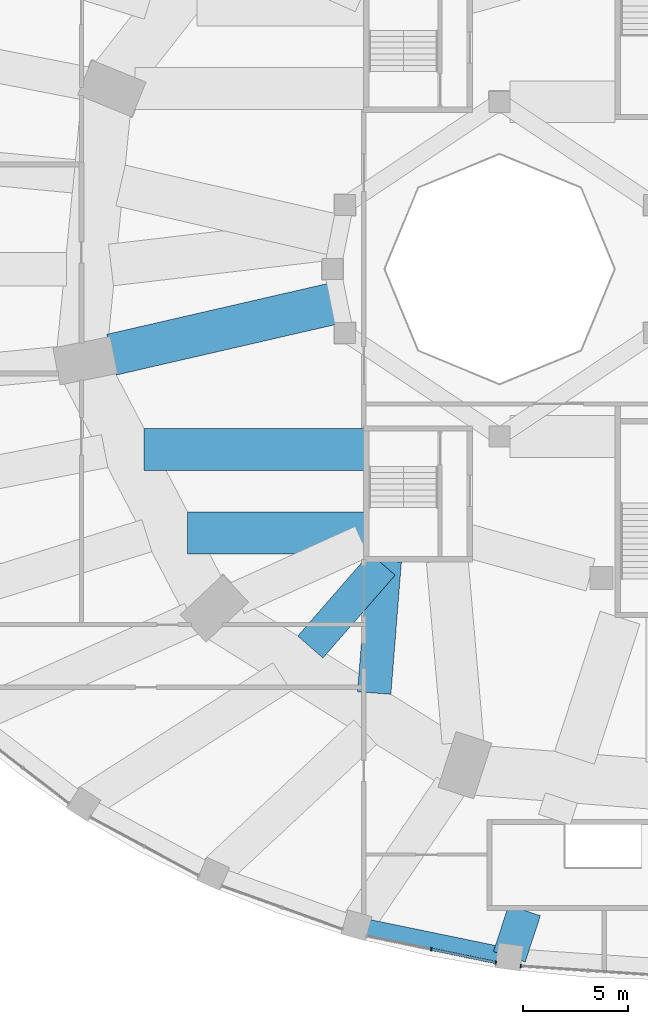
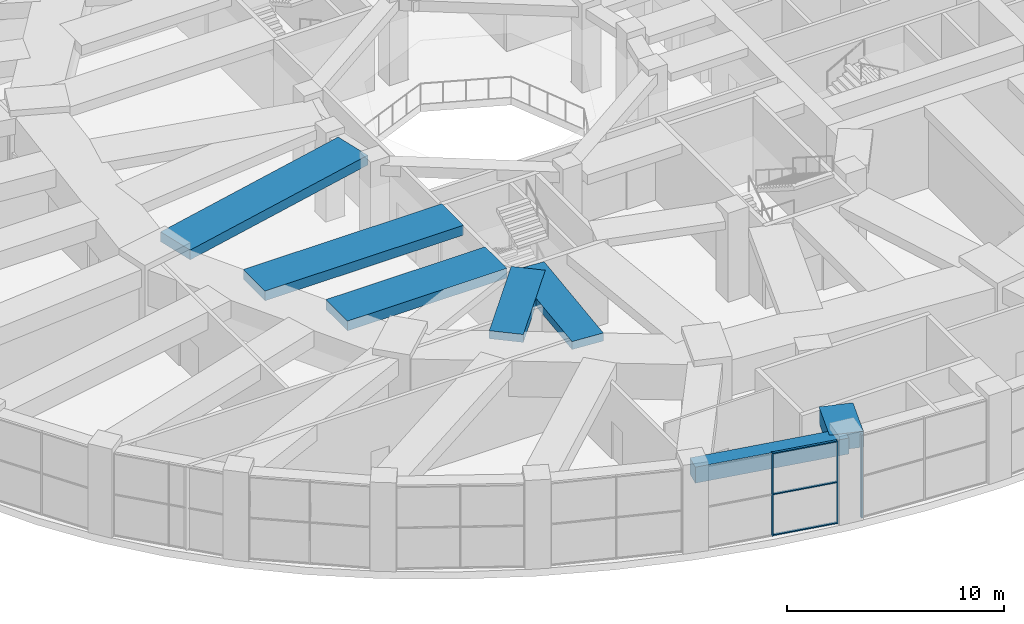
# One storey, part 4 of 30: 7 beams, 6 members, 2 elements without a shape of their own.
"""IFC4 building model written with IfcOpenShell, lengths in metres."""

from ifc_helpers import new_model, si_unit, direction, frame, origin, origin_2d, place, context, subcontext, project, spatial, rectangle, extrude, material, material_profile, profile_set, type_object, element, aggregate, save


model = new_model("IFC4")

# Units and contexts
model_context = context("Model", 3, precision=1e-05, world=origin(), true_north=direction((0.0, 1.0)))
body_context = subcontext(model_context, "Body", "Model", "MODEL_VIEW")
ifc_project = project(units=[si_unit("LENGTHUNIT", "METRE"), si_unit("AREAUNIT", "SQUARE_METRE"), si_unit("VOLUMEUNIT", "CUBIC_METRE"), si_unit("PLANEANGLEUNIT", "RADIAN"), si_unit("MASSUNIT", "GRAM", prefix="KILO")], contexts=[model_context])

# Site, building, storey
site_placement = place(None, origin())
site = spatial("IfcSite", under=ifc_project, at=site_placement, CompositionType="ELEMENT")
building_placement = place(site_placement, origin())
building = spatial("IfcBuilding", under=site, at=building_placement, Name="Taillehof Tower", CompositionType="ELEMENT")
storey_placement = place(building_placement, frame((0.0, 0.0, 12.5)))
storey = spatial("IfcBuildingStorey", under=building, at=storey_placement, Name="L02", CompositionType="ELEMENT", Elevation=12.5)

# Beams
ifc_material_1 = material(Name="Concrete C50/60", Category="concrete")
ifc_material_profile_1 = material_profile(ifc_material_1, rectangle(XDim=0.800048828125, YDim=0.89990234375, at=origin_2d()), Name="RC 800x900")
ifc_profile_set_1 = profile_set([ifc_material_profile_1], Name="Concrete C50/60")
beam_type_1 = type_object("IfcBeamType", Name="Podium edge beam C50/60 800x900", PredefinedType="BEAM", material=ifc_profile_set_1)
beam_1_placement = place(storey_placement, frame((-14.84375, -31.3857421875, 4.199951171875), z_axis=(0.979394077534, -0.201958512797, 0.0), x_axis=(0.201958512797, 0.979394077534, 0.0)))
element("IfcBeam", 1, at=beam_1_placement, inside=storey, type_object=beam_type_1, Name="Podium edge beam PB26", PredefinedType="BEAM", context=body_context, shape_type="SweptSolid", body=[
    extrude(rectangle(XDim=0.800048828125, YDim=0.89990234375, at=origin_2d()), origin(), (0.0, 0.0, 1.0), 7.461181640625),
])
ifc_material_2 = material(Name="Concrete C50/60", Category="concrete")
ifc_material_profile_2 = material_profile(ifc_material_2, rectangle(XDim=1.60009765625, YDim=0.89990234375, at=origin_2d()), Name="RC 1600x900")
ifc_profile_set_2 = profile_set([ifc_material_profile_2], Name="Concrete C50/60")
beam_type_2 = type_object("IfcBeamType", Name="Podium radial beam C50/60 1600x900", PredefinedType="BEAM", material=ifc_profile_set_2)
beam_2_placement = place(storey_placement, frame((-7.536376953125, -32.892578125, 4.199951171875), z_axis=(0.311453105326, 0.950261523573, 0.0), x_axis=(-0.950261523573, 0.311453105326, 0.0)))
element("IfcBeam", 2, at=beam_2_placement, inside=storey, type_object=beam_type_2, Name="Podium radial beam PR27", PredefinedType="BEAM", context=body_context, shape_type="SweptSolid", body=[
    extrude(rectangle(XDim=1.60009765625, YDim=0.89990234375, at=origin_2d()), origin(), (0.0, 0.0, 1.0), 2.33349609375),
])

# Curtain wall, members
ifc_material_3 = material(Name="Aluminium curtain wall with Clear low-emissivity double glazing", Category="aluminium")
curtain_wall_type = type_object("IfcCurtainWallType", Name="Podium window wall curtain wall", PredefinedType="USERDEFINED", material=ifc_material_3)
curtain_wall_1_placement = place(storey_placement, origin())
curtain_wall_1 = element("IfcCurtainWall", 3, at=curtain_wall_1_placement, inside=storey, type_object=curtain_wall_type, Name="Podium window wall L02 bay 26", ObjectType="WINDOW WALL", PredefinedType="USERDEFINED")
ifc_material_4 = material(Name="Aluminium mullion", Category="aluminium")
ifc_material_profile_3 = material_profile(ifc_material_4, rectangle(XDim=0.159912109375, YDim=0.06005859375, at=origin_2d()), Name="AL 60x160")
ifc_profile_set_3 = profile_set([ifc_material_profile_3], Name="Aluminium mullion")
member_type_1 = type_object("IfcMemberType", Name="Podium window wall mullion 60x160", PredefinedType="MULLION", material=ifc_profile_set_3)
member_1_placement = place(storey_placement, frame((-11.27099609375, -32.529296875, 0.0), z_axis=(0.0, 0.0, 1.0), x_axis=(0.201976001877, 0.97939047099, 0.0)))
member_1 = element("IfcMember", 4, at=member_1_placement, type_object=member_type_1, Name="CT226 mullion 2", PredefinedType="MULLION", context=body_context, shape_type="SweptSolid", body=[
    extrude(rectangle(XDim=0.159912109375, YDim=0.06005859375, at=origin_2d()), origin(), (0.0, 0.0, 1.0), 4.64990234375),
])
member_2_placement = place(storey_placement, frame((-8.17919921875, -33.1669921875, 0.0), z_axis=(0.0, 0.0, 1.0), x_axis=(0.201976001877, 0.97939047099, 0.0)))
member_2 = element("IfcMember", 5, at=member_2_placement, type_object=member_type_1, Name="CT226 mullion 3", PredefinedType="MULLION", context=body_context, shape_type="SweptSolid", body=[
    extrude(rectangle(XDim=0.159912109375, YDim=0.06005859375, at=origin_2d()), origin(), (0.0, 0.0, 1.0), 4.64990234375),
])

# Curtain wall, member
curtain_wall_2_placement = place(storey_placement, origin())
curtain_wall_2 = element("IfcCurtainWall", 6, at=curtain_wall_2_placement, inside=storey, type_object=curtain_wall_type, Name="Podium window wall L02 bay 27", ObjectType="WINDOW WALL", PredefinedType="USERDEFINED")
member_3_placement = place(storey_placement, frame((-6.990234375, -33.328857421875, 0.0), z_axis=(0.0, 0.0, 1.0), x_axis=(0.067182989977, 0.997740670644, 0.0)))
member_3 = element("IfcMember", 7, at=member_3_placement, type_object=member_type_1, Name="CT227 mullion 1", PredefinedType="MULLION", context=body_context, shape_type="SweptSolid", body=[
    extrude(rectangle(XDim=0.159912109375, YDim=0.06005859375, at=origin_2d()), origin(), (0.0, 0.0, 1.0), 4.64990234375),
])
aggregate(curtain_wall_2, [member_3])

# Member
ifc_material_5 = material(Name="Aluminium transom", Category="aluminium")
ifc_material_profile_4 = material_profile(ifc_material_5, rectangle(XDim=0.1201171875, YDim=0.06005859375, at=origin_2d()), Name="AL 120x60")
ifc_profile_set_4 = profile_set([ifc_material_profile_4], Name="Aluminium transom")
member_type_2 = type_object("IfcMemberType", Name="Podium window wall transom 120x60", PredefinedType="USERDEFINED", material=ifc_profile_set_4)
member_4_placement = place(storey_placement, frame((-11.24169921875, -32.535400390625, 0.030029296875), z_axis=(0.979389666619, -0.201979902268, 0.0), x_axis=(0.201979902268, 0.979389666619, 0.0)))
member_4 = element("IfcMember", 8, at=member_4_placement, type_object=member_type_2, Name="CT226 transom 2.1", ObjectType="TRANSOM", PredefinedType="USERDEFINED", context=body_context, shape_type="SweptSolid", body=[
    extrude(rectangle(XDim=0.1201171875, YDim=0.06005859375, at=origin_2d()), origin(), (0.0, 0.0, 1.0), 3.0966796875),
])

member_5_placement = place(storey_placement, frame((-11.24169921875, -32.535400390625, 2.324951171875), z_axis=(0.979389666619, -0.201979902268, 0.0), x_axis=(0.201979902268, 0.979389666619, 0.0)))
member_5 = element("IfcMember", 9, at=member_5_placement, type_object=member_type_2, Name="CT226 transom 2.2", ObjectType="TRANSOM", PredefinedType="USERDEFINED", context=body_context, shape_type="SweptSolid", body=[
    extrude(rectangle(XDim=0.1201171875, YDim=0.06005859375, at=origin_2d()), origin(), (0.0, 0.0, 1.0), 3.0966796875),
])

member_6_placement = place(storey_placement, frame((-11.24169921875, -32.535400390625, 4.6201171875), z_axis=(0.979389666619, -0.201979902268, 0.0), x_axis=(0.201979902268, 0.979389666619, 0.0)))
member_6 = element("IfcMember", 10, at=member_6_placement, type_object=member_type_2, Name="CT226 transom 2.3", ObjectType="TRANSOM", PredefinedType="USERDEFINED", context=body_context, shape_type="SweptSolid", body=[
    extrude(rectangle(XDim=0.1201171875, YDim=0.06005859375, at=origin_2d()), origin(), (0.0, 0.0, 1.0), 3.0966796875),
])

aggregate(curtain_wall_1, [member_1, member_2, member_4, member_5, member_6])

# Beams
ifc_material_6 = material(Name="Concrete C50/60", Category="concrete")
ifc_material_profile_5 = material_profile(ifc_material_6, rectangle(XDim=1.60009765625, YDim=0.449951171875, at=origin_2d()), Name="RC 1600x450")
ifc_profile_set_5 = profile_set([ifc_material_profile_5], Name="Concrete C50/60")
beam_type_3 = type_object("IfcBeamType", Name="Radial band beam C50/60 1600x450", PredefinedType="BEAM", material=ifc_profile_set_5)
beam_3_placement = place(storey_placement, frame((-17.05322265625, -18.07470703125, 4.425048828125), z_axis=(0.657224515565, 0.753694856119, 0.0), x_axis=(-0.753694856119, 0.657224515565, 0.0)))
element("IfcBeam", 11, at=beam_3_placement, inside=storey, type_object=beam_type_3, Name="Radial band beam RB24", PredefinedType="BEAM", context=body_context, shape_type="SweptSolid", body=[
    extrude(rectangle(XDim=1.60009765625, YDim=0.449951171875, at=origin_2d()), origin(), (0.0, 0.0, 1.0), 5.25634765625),
])
beam_4_placement = place(storey_placement, frame((-13.99853515625, -20.27490234375, 4.425048828125), z_axis=(0.079191564848, 0.996859416396, 0.0), x_axis=(-0.996859416396, 0.079191564848, 0.0)))
element("IfcBeam", 12, at=beam_4_placement, inside=storey, type_object=beam_type_3, Name="Radial band beam RB25", PredefinedType="BEAM", context=body_context, shape_type="SweptSolid", body=[
    extrude(rectangle(XDim=1.60009765625, YDim=0.449951171875, at=origin_2d()), origin(), (0.0, 0.0, 1.0), 6.3447265625),
])
ifc_material_7 = material(Name="Concrete C50/60", Category="concrete")
ifc_material_profile_6 = material_profile(ifc_material_7, rectangle(XDim=2.0, YDim=0.550048828125, at=origin_2d()), Name="RC 2000x550")
ifc_profile_set_6 = profile_set([ifc_material_profile_6], Name="Concrete C50/60")
beam_type_4 = type_object("IfcBeamType", Name="Radial band beam C50/60 2000x550", PredefinedType="BEAM", material=ifc_profile_set_6)
beam_5_placement = place(storey_placement, frame((-26.56591796875, -4.095703125, 4.375), z_axis=(0.974507502301, 0.224354915166, 0.0), x_axis=(-0.224354915166, 0.974507502301, 0.0)))
element("IfcBeam", 13, at=beam_5_placement, inside=storey, type_object=beam_type_4, Name="Radial band beam RB20", PredefinedType="BEAM", context=body_context, shape_type="SweptSolid", body=[
    extrude(rectangle(XDim=2.0, YDim=0.550048828125, at=origin_2d()), origin(), (0.0, 0.0, 1.0), 11.1669921875),
])
beam_6_placement = place(storey_placement, frame((-25.00146484375, -8.635986328125, 4.375), z_axis=(1.0, 0.0, 0.0), x_axis=(0.0, 1.0, 0.0)))
element("IfcBeam", 14, at=beam_6_placement, inside=storey, type_object=beam_type_4, Name="Radial band beam RB21", PredefinedType="BEAM", context=body_context, shape_type="SweptSolid", body=[
    extrude(rectangle(XDim=2.0, YDim=0.550048828125, at=origin_2d()), origin(), (0.0, 0.0, 1.0), 10.551513671875),
])
beam_7_placement = place(storey_placement, frame((-22.92041015625, -12.625, 4.375), z_axis=(1.0, 0.0, 0.0), x_axis=(0.0, 1.0, 0.0)))
element("IfcBeam", 15, at=beam_7_placement, inside=storey, type_object=beam_type_4, Name="Radial band beam RB22", PredefinedType="BEAM", context=body_context, shape_type="SweptSolid", body=[
    extrude(rectangle(XDim=2.0, YDim=0.550048828125, at=origin_2d()), origin(), (0.0, 0.0, 1.0), 8.470458984375),
])

save(model, "model.ifc")
